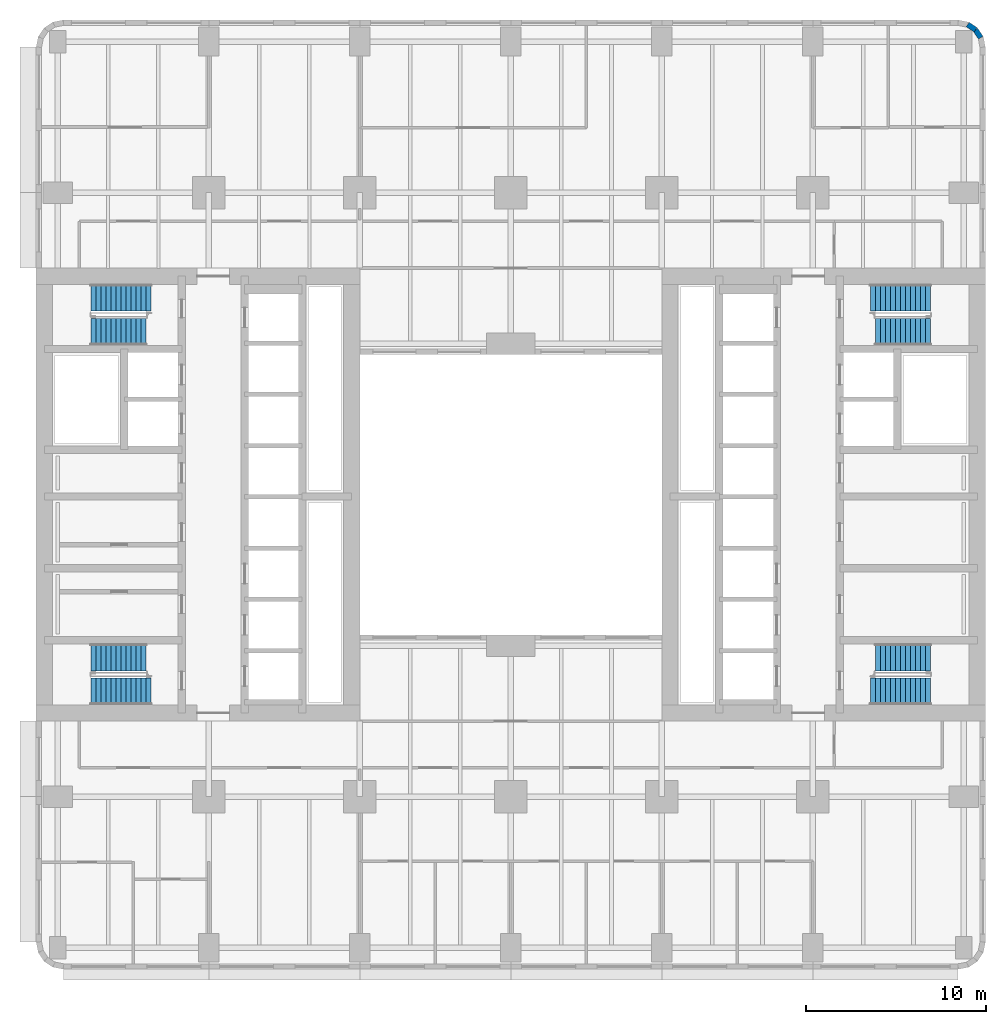
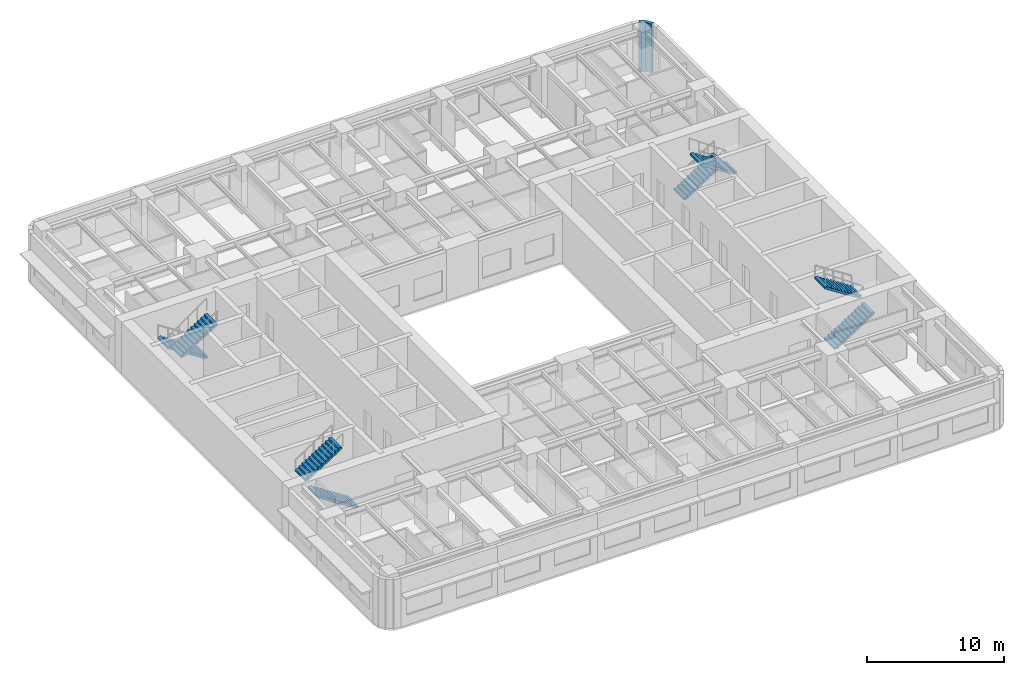
# One storey, part 8 of 12: 8 stair flights, 2 walls, 4 elements without a shape of their own.
"""IFC4 building model written with IfcOpenShell, lengths in metres."""

from ifc_helpers import new_model, si_unit, direction, frame, frame_2d, origin, place, context, subcontext, project, spatial, polyline, rectangle, outline, extrude, material, layer, layer_set, type_object, element, aggregate, save


model = new_model("IFC4")

# Units and contexts
model_context = context("Model", 3, precision=1e-05, world=origin(), true_north=direction((0.0, 1.0)))
body_context = subcontext(model_context, "Body", "Model", "MODEL_VIEW")
ifc_project = project(units=[si_unit("LENGTHUNIT", "METRE"), si_unit("AREAUNIT", "SQUARE_METRE"), si_unit("VOLUMEUNIT", "CUBIC_METRE"), si_unit("PLANEANGLEUNIT", "RADIAN"), si_unit("MASSUNIT", "GRAM", prefix="KILO")], contexts=[model_context])

# Site, building, storey
site_placement = place(None, origin())
site = spatial("IfcSite", under=ifc_project, at=site_placement, CompositionType="ELEMENT")
building_placement = place(site_placement, origin())
building = spatial("IfcBuilding", under=site, at=building_placement, Name="Claustro Exchange Tower", CompositionType="ELEMENT")
storey_placement = place(building_placement, frame((0.0, 0.0, 68.39990234375)))
storey = spatial("IfcBuildingStorey", under=building, at=storey_placement, Name="L15", CompositionType="ELEMENT", Elevation=68.39990234375)

# Walls
ifc_material_1 = material(Name="Concrete HA-40 (C40/50), precast, white cement, acid-etched", Category="concrete")
ifc_layer = layer(ifc_material_1, 0.300048828125)
ifc_layer_set = layer_set([ifc_layer], Name="Concrete HA-40 (C40/50), precast, white cement, acid-etched")
wall_type = type_object("IfcWallType", Name="PC1 300 precast concrete pier panel", PredefinedType="SOLIDWALL", material=ifc_layer_set)
for number, where, z_axis, x_axis, name in (
    (1, (50.615478515625, 51.344482421875, 0.0), (0.0, 0.0, 1.0), (0.831478144188, -0.555557463938, 0.0), "Precast pier panel PC1 L15"),
    (2, (51.052490234375, 51.052490234375, 0.0), (0.0, 0.0, 1.0), (0.555557463938, -0.831478144188, 0.0), "Precast pier panel PC1 L15"),
):
    element("IfcWall", number, at=place(storey_placement, frame(where, z_axis=z_axis, x_axis=x_axis)), inside=storey, type_object=wall_type, Name=name, PredefinedType="SOLIDWALL", context=body_context, shape_type="SweptSolid", body=[
        extrude(rectangle(XDim=0.525634765625, YDim=0.300048828125, at=frame_2d((0.2626953125, 0.0))), origin(), (0.0, 0.0, 1.0), 4.340087890625),
    ])

# Stair, stair flight
ifc_material_2 = material(Name="Concrete HA-30 (C30/37), precast", Category="concrete")
stair_type = type_object("IfcStairType", Name="ST2 half-turn stair, 25 risers of 180", PredefinedType="HALF_TURN_STAIR", material=ifc_material_2)
stair_1_placement = place(storey_placement, origin())
stair_1 = element("IfcStair", 3, at=stair_1_placement, inside=storey, type_object=stair_type, Name="Stair STWA L15", PredefinedType="HALF_TURN_STAIR")
ifc_material_3 = material(Name="Concrete HA-30 (C30/37), precast", Category="concrete")
stair_flight_type_1 = type_object("IfcStairFlightType", Name="SF12B straight flight, 12 risers of 180, 1500 wide", PredefinedType="STRAIGHT", material=ifc_material_3)
stair_flight_1_placement = place(storey_placement, frame((1.840087890625, 16.14990234375, 2.340087890625), z_axis=(0.0, 0.0, 1.0), x_axis=(1.0, 0.0, 0.0)))
stair_flight_1 = element("IfcStairFlight", 4, at=stair_flight_1_placement, type_object=stair_flight_type_1, Name="STWA flight 2", NumberOfRisers=12, NumberOfTreads=11, PredefinedType="STRAIGHT", RiserHeight=0.18, TreadLength=0.28, context=body_context, shape_type="SweptSolid", body=[
    extrude(outline(polyline([(0.0, 0.0), (0.0, 0.179931640625), (0.280029296875, 0.179931640625), (0.280029296875, 0.360107421875), (0.56005859375, 0.360107421875), (0.56005859375, 0.5400390625), (0.840087890625, 0.5400390625), (0.840087890625, 0.719970703125), (1.1201171875, 0.719970703125), (1.1201171875, 0.89990234375), (1.39990234375, 0.89990234375), (1.39990234375, 1.080078125), (1.679931640625, 1.080078125), (1.679931640625, 1.260009765625), (1.9599609375, 1.260009765625), (1.9599609375, 1.43994140625), (2.239990234375, 1.43994140625), (2.239990234375, 1.6201171875), (2.52001953125, 1.6201171875), (2.52001953125, 1.800048828125), (2.800048828125, 1.800048828125), (2.800048828125, 1.97998046875), (3.080078125, 1.97998046875), (3.080078125, 2.159912109375), (3.080078125, 1.8017578125), (0.277099609375, 0.0), (0.0, 0.0)])), frame((0.0, 0.75, 0.0), z_axis=(0.0, -1.0, 0.0), x_axis=(1.0, 0.0, 0.0)), (0.0, 0.0, 1.0), 1.5),
])

stair_2_placement = place(storey_placement, origin())
stair_2 = element("IfcStair", 5, at=stair_2_placement, inside=storey, type_object=stair_type, Name="Stair STWB L15", PredefinedType="HALF_TURN_STAIR")
stair_flight_2_placement = place(storey_placement, frame((1.840087890625, 34.25, 2.340087890625), z_axis=(0.0, 0.0, 1.0), x_axis=(1.0, 0.0, 0.0)))
stair_flight_2 = element("IfcStairFlight", 6, at=stair_flight_2_placement, type_object=stair_flight_type_1, Name="STWB flight 2", NumberOfRisers=12, NumberOfTreads=11, PredefinedType="STRAIGHT", RiserHeight=0.18, TreadLength=0.28, context=body_context, shape_type="SweptSolid", body=[
    extrude(outline(polyline([(0.0, 0.0), (0.0, 0.179931640625), (0.280029296875, 0.179931640625), (0.280029296875, 0.360107421875), (0.56005859375, 0.360107421875), (0.56005859375, 0.5400390625), (0.840087890625, 0.5400390625), (0.840087890625, 0.719970703125), (1.1201171875, 0.719970703125), (1.1201171875, 0.89990234375), (1.39990234375, 0.89990234375), (1.39990234375, 1.080078125), (1.679931640625, 1.080078125), (1.679931640625, 1.260009765625), (1.9599609375, 1.260009765625), (1.9599609375, 1.43994140625), (2.239990234375, 1.43994140625), (2.239990234375, 1.6201171875), (2.52001953125, 1.6201171875), (2.52001953125, 1.800048828125), (2.800048828125, 1.800048828125), (2.800048828125, 1.97998046875), (3.080078125, 1.97998046875), (3.080078125, 2.159912109375), (3.080078125, 1.8017578125), (0.277099609375, 0.0), (0.0, 0.0)])), frame((0.0, 0.75, 0.0), z_axis=(0.0, -1.0, 0.0), x_axis=(1.0, 0.0, 0.0)), (0.0, 0.0, 1.0), 1.5),
])

stair_3_placement = place(storey_placement, origin())
stair_3 = element("IfcStair", 7, at=stair_3_placement, inside=storey, type_object=stair_type, Name="Stair STEA L15", PredefinedType="HALF_TURN_STAIR")
stair_flight_3_placement = place(storey_placement, frame((48.56005859375, 16.14990234375, 2.340087890625), z_axis=(0.0, 0.0, 1.0), x_axis=(-1.0, 0.0, 0.0)))
stair_flight_3 = element("IfcStairFlight", 8, at=stair_flight_3_placement, type_object=stair_flight_type_1, Name="STEA flight 2", NumberOfRisers=12, NumberOfTreads=11, PredefinedType="STRAIGHT", RiserHeight=0.18, TreadLength=0.28, context=body_context, shape_type="SweptSolid", body=[
    extrude(outline(polyline([(0.0, 0.0), (0.0, 0.179931640625), (0.280029296875, 0.179931640625), (0.280029296875, 0.360107421875), (0.56005859375, 0.360107421875), (0.56005859375, 0.5400390625), (0.840087890625, 0.5400390625), (0.840087890625, 0.719970703125), (1.1201171875, 0.719970703125), (1.1201171875, 0.89990234375), (1.39990234375, 0.89990234375), (1.39990234375, 1.080078125), (1.679931640625, 1.080078125), (1.679931640625, 1.260009765625), (1.9599609375, 1.260009765625), (1.9599609375, 1.43994140625), (2.239990234375, 1.43994140625), (2.239990234375, 1.6201171875), (2.52001953125, 1.6201171875), (2.52001953125, 1.800048828125), (2.800048828125, 1.800048828125), (2.800048828125, 1.97998046875), (3.080078125, 1.97998046875), (3.080078125, 2.159912109375), (3.080078125, 1.8017578125), (0.277099609375, 0.0), (0.0, 0.0)])), frame((0.0, 0.75, 0.0), z_axis=(0.0, -1.0, 0.0), x_axis=(1.0, 0.0, 0.0)), (0.0, 0.0, 1.0), 1.5),
])

stair_4_placement = place(storey_placement, origin())
stair_4 = element("IfcStair", 9, at=stair_4_placement, inside=storey, type_object=stair_type, Name="Stair STEB L15", PredefinedType="HALF_TURN_STAIR")
stair_flight_4_placement = place(storey_placement, frame((48.56005859375, 34.25, 2.340087890625), z_axis=(0.0, 0.0, 1.0), x_axis=(-1.0, 0.0, 0.0)))
stair_flight_4 = element("IfcStairFlight", 10, at=stair_flight_4_placement, type_object=stair_flight_type_1, Name="STEB flight 2", NumberOfRisers=12, NumberOfTreads=11, PredefinedType="STRAIGHT", RiserHeight=0.18, TreadLength=0.28, context=body_context, shape_type="SweptSolid", body=[
    extrude(outline(polyline([(0.0, 0.0), (0.0, 0.179931640625), (0.280029296875, 0.179931640625), (0.280029296875, 0.360107421875), (0.56005859375, 0.360107421875), (0.56005859375, 0.5400390625), (0.840087890625, 0.5400390625), (0.840087890625, 0.719970703125), (1.1201171875, 0.719970703125), (1.1201171875, 0.89990234375), (1.39990234375, 0.89990234375), (1.39990234375, 1.080078125), (1.679931640625, 1.080078125), (1.679931640625, 1.260009765625), (1.9599609375, 1.260009765625), (1.9599609375, 1.43994140625), (2.239990234375, 1.43994140625), (2.239990234375, 1.6201171875), (2.52001953125, 1.6201171875), (2.52001953125, 1.800048828125), (2.800048828125, 1.800048828125), (2.800048828125, 1.97998046875), (3.080078125, 1.97998046875), (3.080078125, 2.159912109375), (3.080078125, 1.8017578125), (0.277099609375, 0.0), (0.0, 0.0)])), frame((0.0, 0.75, 0.0), z_axis=(0.0, -1.0, 0.0), x_axis=(1.0, 0.0, 0.0)), (0.0, 0.0, 1.0), 1.5),
])

# Stair flight
ifc_material_4 = material(Name="Concrete HA-30 (C30/37), precast", Category="concrete")
stair_flight_type_2 = type_object("IfcStairFlightType", Name="SF13 straight flight, 13 risers of 180, 1500 wide", PredefinedType="STRAIGHT", material=ifc_material_4)
stair_flight_5_placement = place(storey_placement, frame((5.199951171875, 14.25, 0.0), z_axis=(0.0, 0.0, 1.0), x_axis=(-1.0, 0.0, 0.0)))
stair_flight_5 = element("IfcStairFlight", 11, at=stair_flight_5_placement, type_object=stair_flight_type_2, Name="STWA flight 1", NumberOfRisers=13, NumberOfTreads=12, PredefinedType="STRAIGHT", RiserHeight=0.18, TreadLength=0.28, context=body_context, shape_type="SweptSolid", body=[
    extrude(outline(polyline([(0.0, 0.0), (0.0, 0.179931640625), (0.280029296875, 0.179931640625), (0.280029296875, 0.360107421875), (0.56005859375, 0.360107421875), (0.56005859375, 0.5400390625), (0.840087890625, 0.5400390625), (0.840087890625, 0.719970703125), (1.1201171875, 0.719970703125), (1.1201171875, 0.89990234375), (1.39990234375, 0.89990234375), (1.39990234375, 1.080078125), (1.679931640625, 1.080078125), (1.679931640625, 1.260009765625), (1.9599609375, 1.260009765625), (1.9599609375, 1.43994140625), (2.239990234375, 1.43994140625), (2.239990234375, 1.6201171875), (2.52001953125, 1.6201171875), (2.52001953125, 1.800048828125), (2.800048828125, 1.800048828125), (2.800048828125, 1.97998046875), (3.080078125, 1.97998046875), (3.080078125, 2.159912109375), (3.360107421875, 2.159912109375), (3.360107421875, 2.340087890625), (3.360107421875, 1.981689453125), (0.277099609375, 0.0), (0.0, 0.0)])), frame((0.0, 0.75, 0.0), z_axis=(0.0, -1.0, 0.0), x_axis=(1.0, 0.0, 0.0)), (0.0, 0.0, 1.0), 1.5),
])

aggregate(stair_1, [stair_flight_5, stair_flight_1])

stair_flight_6_placement = place(storey_placement, frame((5.199951171875, 36.14990234375, 0.0), z_axis=(0.0, 0.0, 1.0), x_axis=(-1.0, 0.0, 0.0)))
stair_flight_6 = element("IfcStairFlight", 12, at=stair_flight_6_placement, type_object=stair_flight_type_2, Name="STWB flight 1", NumberOfRisers=13, NumberOfTreads=12, PredefinedType="STRAIGHT", RiserHeight=0.18, TreadLength=0.28, context=body_context, shape_type="SweptSolid", body=[
    extrude(outline(polyline([(0.0, 0.0), (0.0, 0.179931640625), (0.280029296875, 0.179931640625), (0.280029296875, 0.360107421875), (0.56005859375, 0.360107421875), (0.56005859375, 0.5400390625), (0.840087890625, 0.5400390625), (0.840087890625, 0.719970703125), (1.1201171875, 0.719970703125), (1.1201171875, 0.89990234375), (1.39990234375, 0.89990234375), (1.39990234375, 1.080078125), (1.679931640625, 1.080078125), (1.679931640625, 1.260009765625), (1.9599609375, 1.260009765625), (1.9599609375, 1.43994140625), (2.239990234375, 1.43994140625), (2.239990234375, 1.6201171875), (2.52001953125, 1.6201171875), (2.52001953125, 1.800048828125), (2.800048828125, 1.800048828125), (2.800048828125, 1.97998046875), (3.080078125, 1.97998046875), (3.080078125, 2.159912109375), (3.360107421875, 2.159912109375), (3.360107421875, 2.340087890625), (3.360107421875, 1.981689453125), (0.277099609375, 0.0), (0.0, 0.0)])), frame((0.0, 0.75, 0.0), z_axis=(0.0, -1.0, 0.0), x_axis=(1.0, 0.0, 0.0)), (0.0, 0.0, 1.0), 1.5),
])

aggregate(stair_2, [stair_flight_6, stair_flight_2])

stair_flight_7_placement = place(storey_placement, frame((45.199951171875, 14.25, 0.0), z_axis=(0.0, 0.0, 1.0), x_axis=(1.0, 0.0, 0.0)))
stair_flight_7 = element("IfcStairFlight", 13, at=stair_flight_7_placement, type_object=stair_flight_type_2, Name="STEA flight 1", NumberOfRisers=13, NumberOfTreads=12, PredefinedType="STRAIGHT", RiserHeight=0.18, TreadLength=0.28, context=body_context, shape_type="SweptSolid", body=[
    extrude(outline(polyline([(0.0, 0.0), (0.0, 0.179931640625), (0.280029296875, 0.179931640625), (0.280029296875, 0.360107421875), (0.56005859375, 0.360107421875), (0.56005859375, 0.5400390625), (0.840087890625, 0.5400390625), (0.840087890625, 0.719970703125), (1.1201171875, 0.719970703125), (1.1201171875, 0.89990234375), (1.39990234375, 0.89990234375), (1.39990234375, 1.080078125), (1.679931640625, 1.080078125), (1.679931640625, 1.260009765625), (1.9599609375, 1.260009765625), (1.9599609375, 1.43994140625), (2.239990234375, 1.43994140625), (2.239990234375, 1.6201171875), (2.52001953125, 1.6201171875), (2.52001953125, 1.800048828125), (2.800048828125, 1.800048828125), (2.800048828125, 1.97998046875), (3.080078125, 1.97998046875), (3.080078125, 2.159912109375), (3.360107421875, 2.159912109375), (3.360107421875, 2.340087890625), (3.360107421875, 1.981689453125), (0.277099609375, 0.0), (0.0, 0.0)])), frame((0.0, 0.75, 0.0), z_axis=(0.0, -1.0, 0.0), x_axis=(1.0, 0.0, 0.0)), (0.0, 0.0, 1.0), 1.5),
])

aggregate(stair_3, [stair_flight_7, stair_flight_3])

stair_flight_8_placement = place(storey_placement, frame((45.199951171875, 36.14990234375, 0.0), z_axis=(0.0, 0.0, 1.0), x_axis=(1.0, 0.0, 0.0)))
stair_flight_8 = element("IfcStairFlight", 14, at=stair_flight_8_placement, type_object=stair_flight_type_2, Name="STEB flight 1", NumberOfRisers=13, NumberOfTreads=12, PredefinedType="STRAIGHT", RiserHeight=0.18, TreadLength=0.28, context=body_context, shape_type="SweptSolid", body=[
    extrude(outline(polyline([(0.0, 0.0), (0.0, 0.179931640625), (0.280029296875, 0.179931640625), (0.280029296875, 0.360107421875), (0.56005859375, 0.360107421875), (0.56005859375, 0.5400390625), (0.840087890625, 0.5400390625), (0.840087890625, 0.719970703125), (1.1201171875, 0.719970703125), (1.1201171875, 0.89990234375), (1.39990234375, 0.89990234375), (1.39990234375, 1.080078125), (1.679931640625, 1.080078125), (1.679931640625, 1.260009765625), (1.9599609375, 1.260009765625), (1.9599609375, 1.43994140625), (2.239990234375, 1.43994140625), (2.239990234375, 1.6201171875), (2.52001953125, 1.6201171875), (2.52001953125, 1.800048828125), (2.800048828125, 1.800048828125), (2.800048828125, 1.97998046875), (3.080078125, 1.97998046875), (3.080078125, 2.159912109375), (3.360107421875, 2.159912109375), (3.360107421875, 2.340087890625), (3.360107421875, 1.981689453125), (0.277099609375, 0.0), (0.0, 0.0)])), frame((0.0, 0.75, 0.0), z_axis=(0.0, -1.0, 0.0), x_axis=(1.0, 0.0, 0.0)), (0.0, 0.0, 1.0), 1.5),
])

aggregate(stair_4, [stair_flight_8, stair_flight_4])

save(model, "model.ifc")
